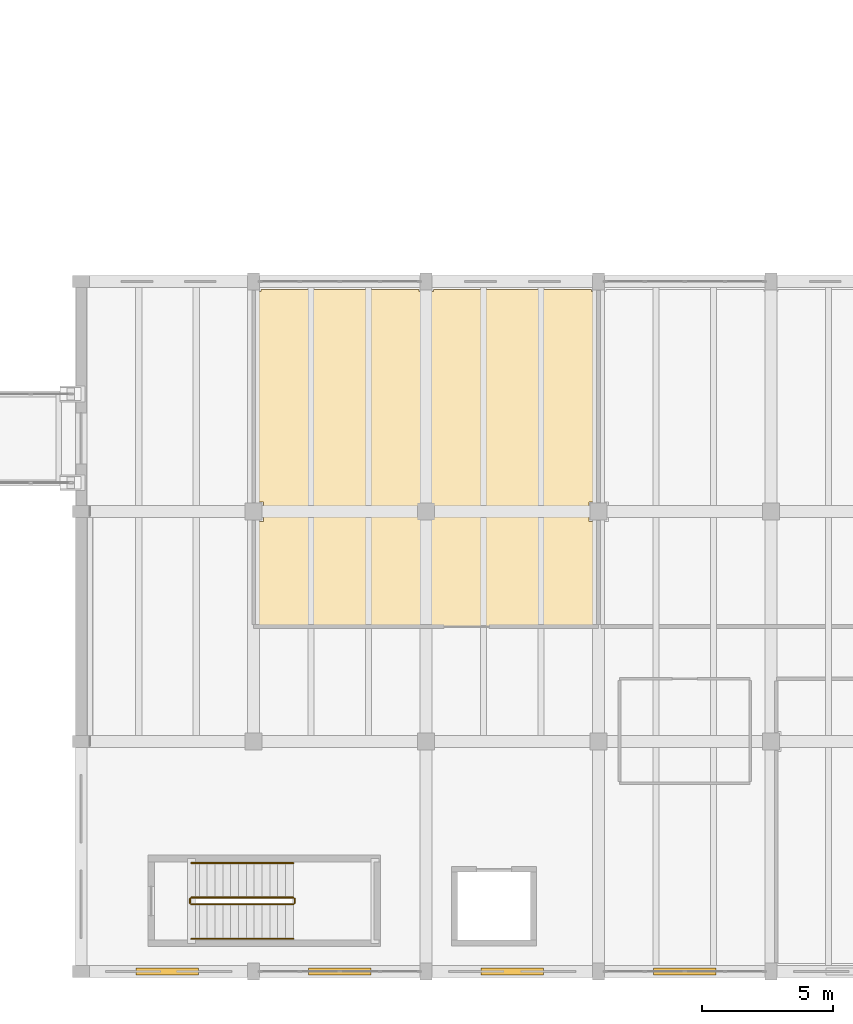
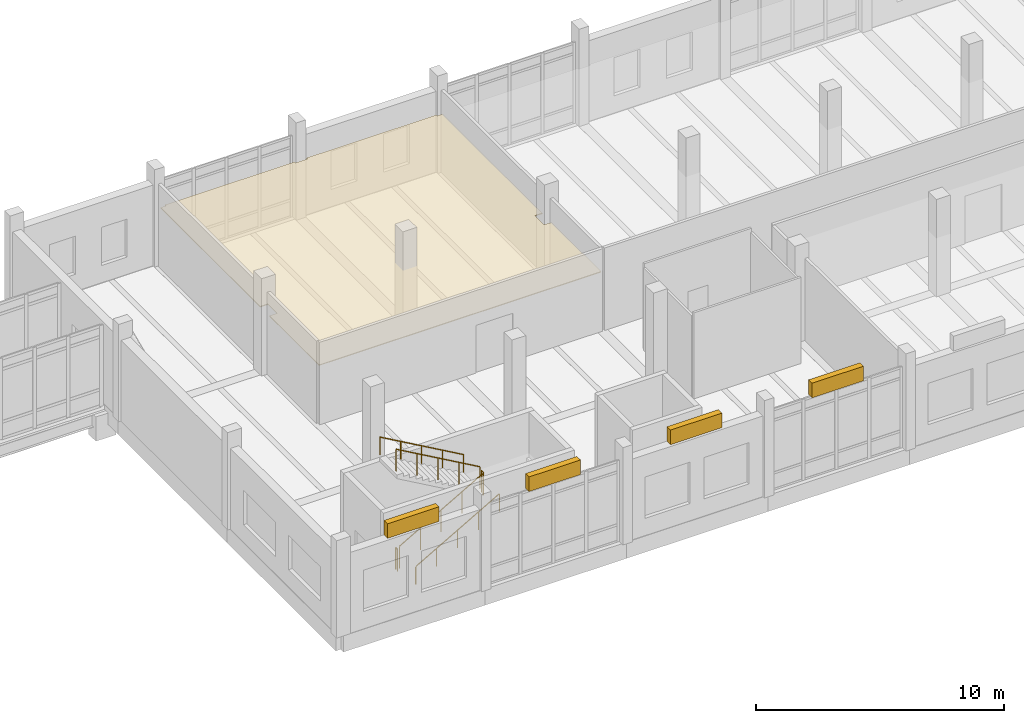
# One storey, part 83 of 101: 6 railings, 4 shading devices, 1 covering.
"""IFC4 building model written with IfcOpenShell, lengths in metres."""

from ifc_helpers import new_model, si_unit, direction, frame, origin, origin_2d, place, context, subcontext, project, spatial, polyline, rectangle, circle, outline, extrude, material, layer, layer_set, type_object, element, save


model = new_model("IFC4")

# Units and contexts
model_context = context("Model", 3, precision=1e-05, world=origin(), true_north=direction((0.0, 1.0)))
body_context = subcontext(model_context, "Body", "Model", "MODEL_VIEW")
ifc_project = project(units=[si_unit("LENGTHUNIT", "METRE"), si_unit("AREAUNIT", "SQUARE_METRE"), si_unit("VOLUMEUNIT", "CUBIC_METRE"), si_unit("PLANEANGLEUNIT", "RADIAN"), si_unit("MASSUNIT", "GRAM", prefix="KILO")], contexts=[model_context])

# Site, building, storey
site_placement = place(None, origin())
site = spatial("IfcSite", under=ifc_project, at=site_placement, CompositionType="ELEMENT")
building_placement = place(site_placement, origin())
building = spatial("IfcBuilding", under=site, at=building_placement, Name="Dornvale Research Institute", CompositionType="ELEMENT")
storey_placement = place(building_placement, frame((0.0, 0.0, 10.199951171875)))
storey = spatial("IfcBuildingStorey", under=building, at=storey_placement, Name="L02", CompositionType="ELEMENT", Elevation=10.199951171875)

# Covering
ifc_material_1 = material(Name="Flush Cleanroom Aluminum Walk-On HEPA Ceiling Grid", Category="aluminium")
ifc_layer_1 = layer(ifc_material_1, 0.0400390625)
ifc_layer_set_1 = layer_set([ifc_layer_1], Name="Flush Cleanroom Aluminum Walk-On HEPA Ceiling Grid")
covering_type = type_object("IfcCoveringType", Name="Covering_Cleanroom_HEPA_Ceiling", PredefinedType="CEILING", material=ifc_layer_set_1)
covering_placement = place(storey_placement, frame((0.0, 0.0, 2.85009765625)))
element("IfcCovering", 1, at=covering_placement, inside=storey, type_object=covering_type, Name="L02 Bio-MEMS Gowning Airlock L02 suspended ceiling", PredefinedType="CEILING", context=body_context, shape_type="SweptSolid", body=[
    extrude(outline(polyline([(105.6201171875, 13.219970703125), (105.6201171875, 17.22509765625), (105.97509765625, 17.22509765625), (105.97509765625, 17.97509765625), (105.6201171875, 17.97509765625), (105.6201171875, 26.02490234375), (105.875, 26.02490234375), (105.875, 26.10009765625), (111.925048828125, 26.10009765625), (111.925048828125, 26.02490234375), (112.47509765625, 26.02490234375), (112.47509765625, 26.10009765625), (118.52490234375, 26.10009765625), (118.52490234375, 26.02490234375), (118.780029296875, 26.02490234375), (118.780029296875, 17.97509765625), (118.425048828125, 17.97509765625), (118.425048828125, 17.22509765625), (118.780029296875, 17.22509765625), (118.780029296875, 13.219970703125), (105.6201171875, 13.219970703125)])), origin(), (0.0, 0.0, 1.0), 0.0400390625),
])

# Railings
ifc_material_2 = material(Name="Galvanized Painted Tubular Steel Stair Rail", Category="steel")
ifc_layer_2 = layer(ifc_material_2, 0.050048828125)
ifc_layer_set_2 = layer_set([ifc_layer_2], Name="Galvanized Painted Tubular Steel Stair Rail")
railing_type_1 = type_object("IfcRailingType", Name="Railing_Stair_Guard_1100", PredefinedType="GUARDRAIL", material=ifc_layer_set_2)
railing_1_placement = place(storey_placement, frame((103.219970703125, 2.570068359375, 0.17138671875)))
element("IfcRailing", 2, at=railing_1_placement, inside=storey, type_object=railing_type_1, Name="L02 ST-5 stair guard 1", PredefinedType="GUARDRAIL", context=body_context, shape_type="SweptSolid", body=[
    extrude(circle(Radius=0.02392578125, at=origin_2d()), frame((0.0, 0.0, 1.076171875), z_axis=(0.868233108195, 0.0, 0.496156497321), x_axis=(0.0, 1.0, 0.0)), (0.0, 0.0, 1.0), 4.491943359375),
    extrude(circle(Radius=0.02099609375, at=origin_2d()), origin(), (0.0, 0.0, 1.0), 1.052001953125),
    extrude(circle(Radius=0.02099609375, at=origin_2d()), frame((0.97509765625, 0.0, 0.55712890625)), (0.0, 0.0, 1.0), 1.052001953125),
    extrude(circle(Radius=0.02099609375, at=origin_2d()), frame((1.9501953125, 0.0, 1.1142578125)), (0.0, 0.0, 1.0), 1.052001953125),
    extrude(circle(Radius=0.02099609375, at=origin_2d()), frame((2.925048828125, 0.0, 1.671630859375)), (0.0, 0.0, 1.0), 1.052001953125),
    extrude(circle(Radius=0.02099609375, at=origin_2d()), frame((3.900146484375, 0.0, 2.228759765625)), (0.0, 0.0, 1.0), 1.052001953125),
])
railing_2_placement = place(storey_placement, frame((107.169921875, 2.6201171875, 2.400146484375)))
element("IfcRailing", 3, at=railing_2_placement, inside=storey, type_object=railing_type_1, Name="L02 ST-5 stair guard 2", PredefinedType="GUARDRAIL", context=body_context, shape_type="SweptSolid", body=[
    extrude(circle(Radius=0.02392578125, at=origin_2d()), frame((0.0, 0.0, 1.076171875), z_axis=(0.0, 1.0, 0.0), x_axis=(-1.0, 0.0, 0.0)), (0.0, 0.0, 1.0), 0.159912109375),
    extrude(circle(Radius=0.02099609375, at=origin_2d()), origin(), (0.0, 0.0, 1.0), 1.052001953125),
    extrude(circle(Radius=0.02099609375, at=origin_2d()), frame((0.0, 0.159912109375, 0.0)), (0.0, 0.0, 1.0), 1.052001953125),
])
railing_3_placement = place(storey_placement, frame((107.1201171875, 2.830078125, 2.571533203125)))
element("IfcRailing", 4, at=railing_3_placement, inside=storey, type_object=railing_type_1, Name="L02 ST-5 stair guard 3", PredefinedType="GUARDRAIL", context=body_context, shape_type="SweptSolid", body=[
    extrude(circle(Radius=0.02392578125, at=origin_2d()), frame((0.0, 0.0, 1.076171875), z_axis=(-0.868256520506, 0.0, 0.496115525457), x_axis=(0.0, -1.0, 0.0)), (0.0, 0.0, 1.0), 4.491943359375),
    extrude(circle(Radius=0.02099609375, at=origin_2d()), origin(), (0.0, 0.0, 1.0), 1.052001953125),
    extrude(circle(Radius=0.02099609375, at=origin_2d()), frame((-0.97509765625, 0.0, 0.55712890625)), (0.0, 0.0, 1.0), 1.052001953125),
    extrude(circle(Radius=0.02099609375, at=origin_2d()), frame((-1.9501953125, 0.0, 1.1142578125)), (0.0, 0.0, 1.0), 1.052001953125),
    extrude(circle(Radius=0.02099609375, at=origin_2d()), frame((-2.925048828125, 0.0, 1.67138671875)), (0.0, 0.0, 1.0), 1.052001953125),
    extrude(circle(Radius=0.02099609375, at=origin_2d()), frame((-3.900146484375, 0.0, 2.228515625)), (0.0, 0.0, 1.0), 1.052001953125),
])
railing_4_placement = place(storey_placement, frame((103.169921875, 2.6201171875, 0.0)))
element("IfcRailing", 5, at=railing_4_placement, inside=storey, type_object=railing_type_1, Name="L02 ST-5 stair guard 4", PredefinedType="GUARDRAIL", context=body_context, shape_type="SweptSolid", body=[
    extrude(circle(Radius=0.02392578125, at=origin_2d()), frame((0.0, 0.0, 1.076171875), z_axis=(0.0, 1.0, 0.0), x_axis=(-1.0, 0.0, 0.0)), (0.0, 0.0, 1.0), 0.159912109375),
    extrude(circle(Radius=0.02099609375, at=origin_2d()), origin(), (0.0, 0.0, 1.0), 1.052001953125),
    extrude(circle(Radius=0.02099609375, at=origin_2d()), frame((0.0, 0.159912109375, 0.0)), (0.0, 0.0, 1.0), 1.052001953125),
])
ifc_material_3 = material(Name="Galvanized Painted Tubular Steel Stair Rail", Category="steel")
ifc_layer_3 = layer(ifc_material_3, 0.044921875)
ifc_layer_set_3 = layer_set([ifc_layer_3], Name="Galvanized Painted Tubular Steel Stair Rail")
railing_type_2 = type_object("IfcRailingType", Name="Railing_Stair_Handrail_900", PredefinedType="HANDRAIL", material=ifc_layer_set_3)
railing_5_placement = place(storey_placement, frame((103.219970703125, 1.25, 0.17138671875)))
element("IfcRailing", 6, at=railing_5_placement, inside=storey, type_object=railing_type_2, Name="L02 ST-5 stair handrail 1", PredefinedType="HANDRAIL", context=body_context, shape_type="SweptSolid", body=[
    extrude(circle(Radius=0.02392578125, at=origin_2d()), frame((0.0, 0.0, 0.8759765625), z_axis=(0.868233108195, 0.0, 0.496156497321), x_axis=(0.0, 1.0, 0.0)), (0.0, 0.0, 1.0), 4.491943359375),
    extrude(circle(Radius=0.02099609375, at=origin_2d()), origin(), (0.0, 0.0, 1.0), 0.851806640625),
    extrude(circle(Radius=0.02099609375, at=origin_2d()), frame((0.97509765625, 0.0, 0.55712890625)), (0.0, 0.0, 1.0), 0.851806640625),
    extrude(circle(Radius=0.02099609375, at=origin_2d()), frame((1.9501953125, 0.0, 1.1142578125)), (0.0, 0.0, 1.0), 0.851806640625),
    extrude(circle(Radius=0.02099609375, at=origin_2d()), frame((2.925048828125, 0.0, 1.671630859375)), (0.0, 0.0, 1.0), 0.851806640625),
    extrude(circle(Radius=0.02099609375, at=origin_2d()), frame((3.900146484375, 0.0, 2.228759765625)), (0.0, 0.0, 1.0), 0.851806640625),
])
railing_6_placement = place(storey_placement, frame((107.1201171875, 4.14990234375, 2.571533203125)))
element("IfcRailing", 7, at=railing_6_placement, inside=storey, type_object=railing_type_2, Name="L02 ST-5 stair handrail 2", PredefinedType="HANDRAIL", context=body_context, shape_type="SweptSolid", body=[
    extrude(circle(Radius=0.02392578125, at=origin_2d()), frame((0.0, 0.0, 0.8759765625), z_axis=(-0.868256520506, 0.0, 0.496115525457), x_axis=(0.0, -1.0, 0.0)), (0.0, 0.0, 1.0), 4.491943359375),
    extrude(circle(Radius=0.02099609375, at=origin_2d()), origin(), (0.0, 0.0, 1.0), 0.851806640625),
    extrude(circle(Radius=0.02099609375, at=origin_2d()), frame((-0.97509765625, 0.0, 0.55712890625)), (0.0, 0.0, 1.0), 0.851806640625),
    extrude(circle(Radius=0.02099609375, at=origin_2d()), frame((-1.9501953125, 0.0, 1.1142578125)), (0.0, 0.0, 1.0), 0.851806640625),
    extrude(circle(Radius=0.02099609375, at=origin_2d()), frame((-2.925048828125, 0.0, 1.67138671875)), (0.0, 0.0, 1.0), 0.851806640625),
    extrude(circle(Radius=0.02099609375, at=origin_2d()), frame((-3.900146484375, 0.0, 2.228515625)), (0.0, 0.0, 1.0), 0.851806640625),
])

# Shading devices
ifc_material_4 = material(Name="Extruded Aluminum Acoustic Intake Louvre", Category="aluminium")
ifc_layer_4 = layer(ifc_material_4, 0.139892578125)
ifc_layer_set_4 = layer_set([ifc_layer_4], Name="Extruded Aluminum Acoustic Intake Louvre")
shading_device_type = type_object("IfcShadingDeviceType", Name="Shading_Acoustic_Louvre", PredefinedType="USERDEFINED", material=ifc_layer_set_4)
for number, where, z_axis, x_axis, name in (
    (8, (102.300048828125, 0.0, 4.02001953125), (0.0, 0.0, 1.0), (1.0, 0.0, 0.0), "L02 V3 extruded aluminum acoustic louvre #26"),
    (9, (108.89990234375, 0.0, 4.02001953125), (0.0, 0.0, 1.0), (1.0, 0.0, 0.0), "L02 V3 extruded aluminum acoustic louvre #27"),
    (10, (115.5, 0.0, 4.02001953125), (0.0, 0.0, 1.0), (1.0, 0.0, 0.0), "L02 V3 extruded aluminum acoustic louvre #28"),
    (11, (122.10009765625, 0.0, 4.02001953125), (0.0, 0.0, 1.0), (1.0, 0.0, 0.0), "L02 V3 extruded aluminum acoustic louvre #29"),
):
    element("IfcShadingDevice", number, at=place(storey_placement, frame(where, z_axis=z_axis, x_axis=x_axis)), inside=storey, type_object=shading_device_type, Name=name, ObjectType="LOUVRE", PredefinedType="USERDEFINED", context=body_context, shape_type="SweptSolid", body=[
        extrude(rectangle(XDim=2.39990234375, YDim=0.280029296875, at=origin_2d()), origin(), (0.0, 0.0, 1.0), 0.719970703125),
    ])

save(model, "model.ifc")
